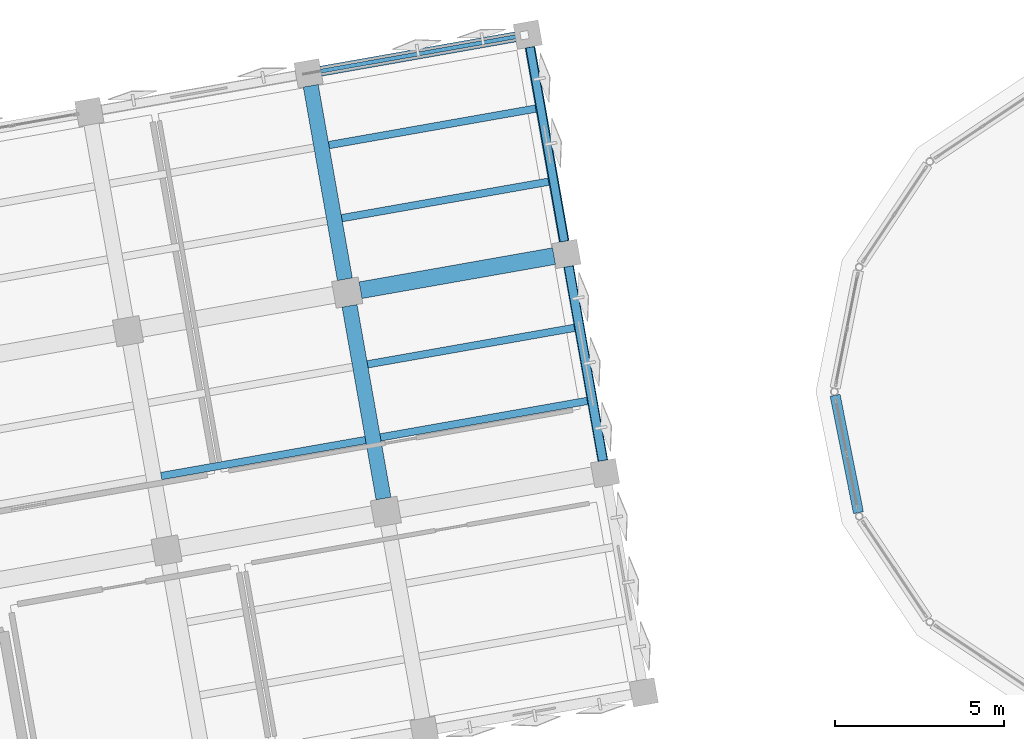
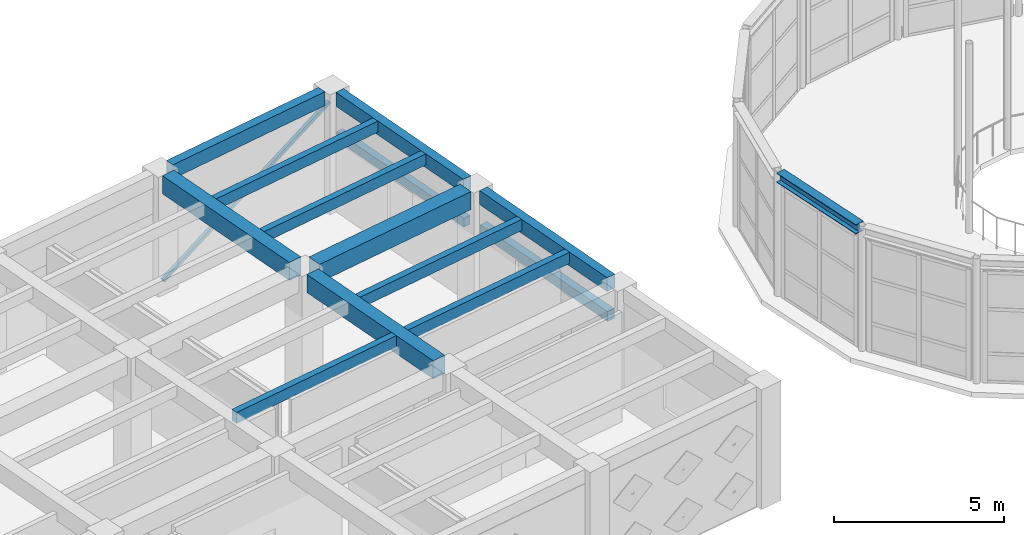
# One storey, part 27 of 80: 14 beams, 1 member.
"""IFC4 building model written with IfcOpenShell, lengths in metres."""

from ifc_helpers import new_model, si_unit, direction, frame, origin, origin_2d, place, context, subcontext, project, spatial, rectangle, hollow_rectangle, i_section, extrude, material, material_profile, profile_set, type_object, element, save


model = new_model("IFC4")

# Units and contexts
model_context = context("Model", 3, precision=1e-05, world=origin(), true_north=direction((0.0, 1.0)))
body_context = subcontext(model_context, "Body", "Model", "MODEL_VIEW")
ifc_project = project(units=[si_unit("LENGTHUNIT", "METRE"), si_unit("AREAUNIT", "SQUARE_METRE"), si_unit("VOLUMEUNIT", "CUBIC_METRE"), si_unit("PLANEANGLEUNIT", "RADIAN"), si_unit("MASSUNIT", "GRAM", prefix="KILO")], contexts=[model_context])

# Site, building, storey
site_placement = place(None, origin())
site = spatial("IfcSite", under=ifc_project, at=site_placement, CompositionType="ELEMENT")
building_placement = place(site_placement, origin())
building = spatial("IfcBuilding", under=site, at=building_placement, Name="Kharisveld Research Institute", CompositionType="ELEMENT")
storey_placement = place(building_placement, frame((0.0, 0.0, 5.10009765625)))
storey = spatial("IfcBuildingStorey", under=building, at=storey_placement, Name="L01", CompositionType="ELEMENT", Elevation=5.10009765625)

# Beams
ifc_material_1 = material(Name="Concrete C40/50", Category="concrete")
ifc_material_profile_1 = material_profile(ifc_material_1, rectangle(XDim=0.449951171875, YDim=0.64990234375, at=origin_2d()))
ifc_profile_set_1 = profile_set([ifc_material_profile_1], Name="Concrete C40/50")
beam_type_1 = type_object("IfcBeamType", Name="BM_RC_450x650", PredefinedType="BEAM", material=ifc_profile_set_1)
beam_1_placement = place(storey_placement, frame((36.483154296875, 47.634033203125, 3.98486328125), z_axis=(-0.17363405094, 0.984810243831, 0.0), x_axis=(-0.984810243831, -0.17363405094, 0.0)))
element("IfcBeam", 1, at=beam_1_placement, inside=storey, type_object=beam_type_1, Name="BM:V1:L01:V5_1", PredefinedType="BEAM", context=body_context, shape_type="SweptSolid", body=[
    extrude(rectangle(XDim=0.449951171875, YDim=0.64990234375, at=origin_2d()), origin(), (0.0, 0.0, 1.0), 5.800048828125),
])
beam_2_placement = place(storey_placement, frame((35.337158203125, 54.1337890625, 3.98486328125), z_axis=(-0.173682522459, 0.984801696481, 0.0), x_axis=(-0.984801696481, -0.173682522459, 0.0)))
element("IfcBeam", 2, at=beam_2_placement, inside=storey, type_object=beam_type_1, Name="BM:V1:L01:V5_2", PredefinedType="BEAM", context=body_context, shape_type="SweptSolid", body=[
    extrude(rectangle(XDim=0.449951171875, YDim=0.64990234375, at=origin_2d()), origin(), (0.0, 0.0, 1.0), 5.8251953125),
])
ifc_material_2 = material(Name="Concrete C40/50", Category="concrete")
ifc_material_profile_2 = material_profile(ifc_material_2, rectangle(XDim=0.5, YDim=0.64990234375, at=origin_2d()))
ifc_profile_set_2 = profile_set([ifc_material_profile_2], Name="Concrete C40/50")
beam_type_2 = type_object("IfcBeamType", Name="BM_RC_500x650", PredefinedType="BEAM", material=ifc_profile_set_2)
beam_3_placement = place(storey_placement, frame((35.800537109375, 53.809326171875, 3.98486328125), z_axis=(0.984807600618, 0.173649041937, 0.0), x_axis=(-0.173649041937, 0.984807600618, 0.0)))
element("IfcBeam", 3, at=beam_3_placement, inside=storey, type_object=beam_type_2, Name="BM:V1:L01:U5_2", PredefinedType="BEAM", context=body_context, shape_type="SweptSolid", body=[
    extrude(rectangle(XDim=0.5, YDim=0.64990234375, at=origin_2d()), origin(), (0.0, 0.0, 1.0), 5.82470703125),
])
ifc_material_3 = material(Name="Steel S355JR", Category="steel")
ifc_material_profile_3 = material_profile(ifc_material_3, i_section(OverallWidth=0.300048828125, OverallDepth=0.340087890625, WebThickness=0.011962890625, FlangeThickness=0.021484375, at=origin_2d()))
ifc_profile_set_3 = profile_set([ifc_material_profile_3], Name="Steel S355JR")
beam_type_3 = type_object("IfcBeamType", Name="BM_ST_HEA300", PredefinedType="BEAM", material=ifc_profile_set_3)
beam_4_placement = place(storey_placement, frame((49.871337890625, 50.692626953125, 4.329833984375), z_axis=(0.195109819798, -0.980781401852, 0.0), x_axis=(0.980781401852, 0.195109819798, 0.0)))
element("IfcBeam", 4, at=beam_4_placement, inside=storey, type_object=beam_type_3, Name="BM:V6:L01:RING08", PredefinedType="BEAM", context=body_context, shape_type="SweptSolid", body=[
    extrude(i_section(OverallWidth=0.300048828125, OverallDepth=0.340087890625, WebThickness=0.011962890625, FlangeThickness=0.021484375, at=origin_2d()), origin(), (0.0, 0.0, 1.0), 3.546142578125),
])

# Member
ifc_material_4 = material(Name="Steel S355J2H", Category="steel")
ifc_material_profile_4 = material_profile(ifc_material_4, hollow_rectangle(XDim=0.1201171875, YDim=0.1201171875, WallThickness=0.00634765625, at=origin_2d()))
ifc_profile_set_4 = profile_set([ifc_material_profile_4], Name="Steel S355J2H")
member_type = type_object("IfcMemberType", Name="BR_SHS120", PredefinedType="BRACE", material=ifc_profile_set_4)
member_placement = place(storey_placement, frame((34.35888671875, 60.2568359375, 0.199951171875), z_axis=(0.860614431418, 0.151780969408, 0.486112474393), x_axis=(-0.173683053068, 0.984801602901, 0.0)))
element("IfcMember", 5, at=member_placement, inside=storey, type_object=member_type, Name="MEM:V1:L01:BR_5_3", PredefinedType="BRACE", context=body_context, shape_type="SweptSolid", body=[
    extrude(hollow_rectangle(XDim=0.1201171875, YDim=0.1201171875, WallThickness=0.00634765625, at=origin_2d()), origin(), (0.0, 0.0, 1.0), 7.323486328125),
])

# Beams
ifc_material_5 = material(Name="Concrete C35/45", Category="concrete")
ifc_material_profile_5 = material_profile(ifc_material_5, rectangle(XDim=0.239990234375, YDim=0.320068359375, at=origin_2d()))
ifc_profile_set_5 = profile_set([ifc_material_profile_5], Name="Concrete C35/45")
beam_type_4 = type_object("IfcBeamType", Name="LN_RC_240x320", PredefinedType="LINTEL", material=ifc_profile_set_5)
beam_5_placement = place(storey_placement, frame((40.826171875, 61.011474609375, 2.72998046875), z_axis=(0.173658934779, -0.984805856183, 0.0), x_axis=(0.984805856183, 0.173658934779, 0.0)))
element("IfcBeam", 6, at=beam_5_placement, inside=storey, type_object=beam_type_4, Name="BM:V1:L01:LINTEL_E3", PredefinedType="LINTEL", context=body_context, shape_type="SweptSolid", body=[
    extrude(rectangle(XDim=0.239990234375, YDim=0.320068359375, at=origin_2d()), origin(), (0.0, 0.0, 1.0), 5.83984375),
])
ifc_material_6 = material(Name="Concrete C35/45", Category="concrete")
ifc_material_profile_6 = material_profile(ifc_material_6, rectangle(XDim=0.260009765625, YDim=0.360107421875, at=origin_2d()))
ifc_profile_set_6 = profile_set([ifc_material_profile_6], Name="Concrete C35/45")
beam_type_5 = type_object("IfcBeamType", Name="LN_RC_260x360", PredefinedType="LINTEL", material=ifc_profile_set_6)
beam_6_placement = place(storey_placement, frame((41.97216796875, 54.51171875, 2.89990234375), z_axis=(0.173658934779, -0.984805856183, 0.0), x_axis=(0.984805856183, 0.173658934779, 0.0)))
element("IfcBeam", 7, at=beam_6_placement, inside=storey, type_object=beam_type_5, Name="BM:V1:L01:LINTEL_E2", PredefinedType="LINTEL", context=body_context, shape_type="SweptSolid", body=[
    extrude(rectangle(XDim=0.260009765625, YDim=0.360107421875, at=origin_2d()), origin(), (0.0, 0.0, 1.0), 5.83984375),
])
ifc_material_7 = material(Name="Concrete C40/50", Category="concrete")
ifc_material_profile_7 = material_profile(ifc_material_7, rectangle(XDim=0.300048828125, YDim=0.5, at=origin_2d()))
ifc_profile_set_7 = profile_set([ifc_material_profile_7], Name="Concrete C40/50")
beam_type_6 = type_object("IfcBeamType", Name="SP_RC_300x500", PredefinedType="SPANDREL", material=ifc_profile_set_7)
beam_7_placement = place(storey_placement, frame((34.629638671875, 60.3046875, 4.059814453125), z_axis=(0.984807496737, 0.173649631067, 0.0), x_axis=(-0.173649631067, 0.984807496737, 0.0)))
element("IfcBeam", 8, at=beam_7_placement, inside=storey, type_object=beam_type_6, Name="BM:V1:L01:U5_3", PredefinedType="SPANDREL", context=body_context, shape_type="SweptSolid", body=[
    extrude(rectangle(XDim=0.300048828125, YDim=0.5, at=origin_2d()), origin(), (0.0, 0.0, 1.0), 5.85009765625),
])
beam_8_placement = place(storey_placement, frame((42.9873046875, 48.755615234375, 4.059814453125), z_axis=(-0.17365676812, 0.984806238245, 0.0), x_axis=(-0.984806238245, -0.17365676812, 0.0)))
element("IfcBeam", 9, at=beam_8_placement, inside=storey, type_object=beam_type_6, Name="BM:V1:L01:V6_1", PredefinedType="SPANDREL", context=body_context, shape_type="SweptSolid", body=[
    extrude(rectangle(XDim=0.300048828125, YDim=0.5, at=origin_2d()), origin(), (0.0, 0.0, 1.0), 5.849853515625),
])
beam_9_placement = place(storey_placement, frame((41.841064453125, 55.255126953125, 4.059814453125), z_axis=(-0.173649631067, 0.984807496737, 0.0), x_axis=(-0.984807496737, -0.173649631067, 0.0)))
element("IfcBeam", 10, at=beam_9_placement, inside=storey, type_object=beam_type_6, Name="BM:V1:L01:V6_2", PredefinedType="SPANDREL", context=body_context, shape_type="SweptSolid", body=[
    extrude(rectangle(XDim=0.300048828125, YDim=0.5, at=origin_2d()), origin(), (0.0, 0.0, 1.0), 5.85009765625),
])
ifc_material_8 = material(Name="Concrete C40/50", Category="concrete")
ifc_material_profile_8 = material_profile(ifc_material_8, rectangle(XDim=0.219970703125, YDim=0.39990234375, at=origin_2d()))
ifc_profile_set_8 = profile_set([ifc_material_profile_8], Name="Concrete C40/50")
beam_type_7 = type_object("IfcBeamType", Name="WB_RC_220x400", PredefinedType="JOIST", material=ifc_profile_set_8)
beam_10_placement = place(storey_placement, frame((29.892333984375, 48.2998046875, 4.10986328125), z_axis=(0.984809923515, 0.173635867682, 0.0), x_axis=(-0.173635867682, 0.984809923515, 0.0)))
element("IfcBeam", 11, at=beam_10_placement, inside=storey, type_object=beam_type_7, Name="BM:V1:L01:J_4_1_R1", PredefinedType="JOIST", context=body_context, shape_type="SweptSolid", body=[
    extrude(rectangle(XDim=0.219970703125, YDim=0.39990234375, at=origin_2d()), origin(), (0.0, 0.0, 1.0), 6.150146484375),
])
beam_11_placement = place(storey_placement, frame((36.39208984375, 49.44580078125, 4.10986328125), z_axis=(0.984811579018, 0.17362647791, 0.0), x_axis=(-0.17362647791, 0.984811579018, 0.0)))
element("IfcBeam", 12, at=beam_11_placement, inside=storey, type_object=beam_type_7, Name="BM:V1:L01:J_5_1_R1", PredefinedType="JOIST", context=body_context, shape_type="SweptSolid", body=[
    extrude(rectangle(XDim=0.219970703125, YDim=0.39990234375, at=origin_2d()), origin(), (0.0, 0.0, 1.0), 6.224853515625),
])
beam_12_placement = place(storey_placement, frame((36.010009765625, 51.6123046875, 4.10986328125), z_axis=(0.984806054915, 0.17365780778, 0.0), x_axis=(-0.17365780778, 0.984806054915, 0.0)))
element("IfcBeam", 13, at=beam_12_placement, inside=storey, type_object=beam_type_7, Name="BM:V1:L01:J_5_1_R2", PredefinedType="JOIST", context=body_context, shape_type="SweptSolid", body=[
    extrude(rectangle(XDim=0.219970703125, YDim=0.39990234375, at=origin_2d()), origin(), (0.0, 0.0, 1.0), 6.22509765625),
])
for number, where, z_axis, x_axis, name in (
    (14, (35.24609375, 55.945556640625, 4.10986328125), (0.984811579018, 0.17362647791, 0.0), (-0.17362647791, 0.984811579018, 0.0), "BM:V1:L01:J_5_2_R1"),
    (15, (34.864013671875, 58.112060546875, 4.10986328125), (0.984804872144, 0.173664515088, 0.0), (-0.173664515088, 0.984804872144, 0.0), "BM:V1:L01:J_5_2_R2"),
):
    element("IfcBeam", number, at=place(storey_placement, frame(where, z_axis=z_axis, x_axis=x_axis)), inside=storey, type_object=beam_type_7, Name=name, PredefinedType="JOIST", context=body_context, shape_type="SweptSolid", body=[
        extrude(rectangle(XDim=0.219970703125, YDim=0.39990234375, at=origin_2d()), origin(), (0.0, 0.0, 1.0), 6.224853515625),
    ])

save(model, "model.ifc")
